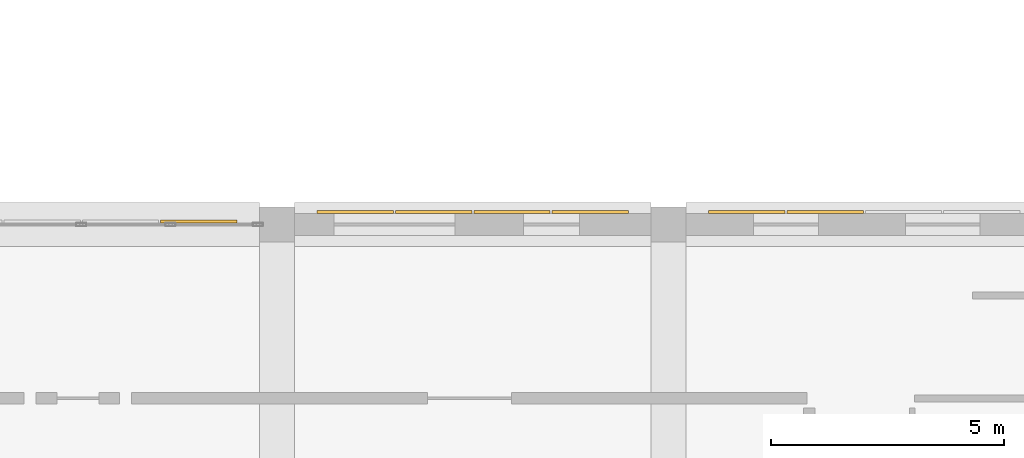
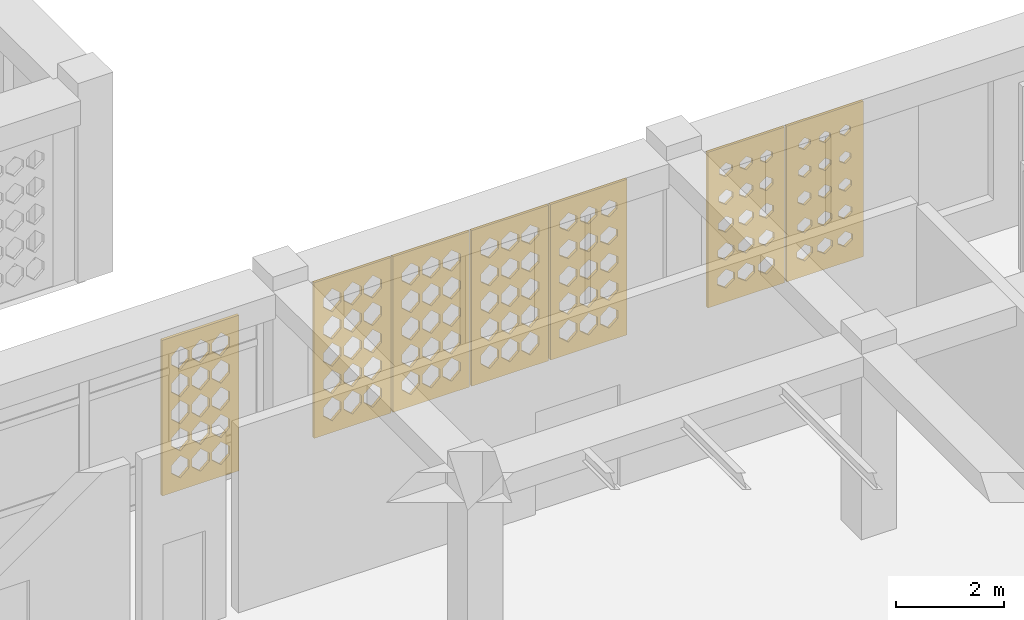
# One storey, part 89 of 111: 7 coverings.
"""IFC4 building model written with IfcOpenShell, lengths in metres."""

from ifc_helpers import new_model, si_unit, derived_unit, direction, frame, origin, place, context, subcontext, project, spatial, polyline, outline, extrude, material, layer, layer_set, type_object, element, save


model = new_model("IFC4")

# Units and contexts
model_context = context("Model", 3, precision=1e-05, world=origin(), true_north=direction((0.0, 1.0)))
body_context = subcontext(model_context, "Body", "Model", "MODEL_VIEW")
ifc_project = project(units=[si_unit("LENGTHUNIT", "METRE"), si_unit("AREAUNIT", "SQUARE_METRE"), si_unit("VOLUMEUNIT", "CUBIC_METRE"), si_unit("PLANEANGLEUNIT", "RADIAN"), si_unit("MASSUNIT", "GRAM", prefix="KILO"), derived_unit("THERMALTRANSMITTANCEUNIT", [(si_unit("POWERUNIT", "WATT"), 1), (si_unit("LENGTHUNIT", "METRE"), -2), (si_unit("THERMODYNAMICTEMPERATUREUNIT", "KELVIN"), -1)])], contexts=[model_context])

# Site, building, storey
site_placement = place(None, origin())
site = spatial("IfcSite", under=ifc_project, at=site_placement, CompositionType="ELEMENT")
building_placement = place(site_placement, origin())
building = spatial("IfcBuilding", under=site, at=building_placement, Name="Veybourne Emporium", CompositionType="ELEMENT")
storey_placement = place(building_placement, frame((0.0, 0.0, 9.89990234375)))
storey = spatial("IfcBuildingStorey", under=building, at=storey_placement, Name="L02", CompositionType="ELEMENT", Elevation=9.89990234375)

# Coverings
ifc_material = material(Name="Warm-White Perforated Aluminium Screen Alloy", Category="aluminium")
ifc_layer_1 = layer(ifc_material, 0.06005859375)
ifc_layer_set_1 = layer_set([ifc_layer_1], Name="Warm-White Perforated Aluminium Screen Alloy")
covering_type_1 = type_object("IfcCoveringType", Name="WaveScreen_SCR-01", PredefinedType="CLADDING", material=ifc_layer_set_1)
covering_1_placement = place(storey_placement, frame((107.52001953125, 29.09814453125, 1.815185546875), z_axis=(0.0, -1.0, 0.0), x_axis=(1.0, 0.0, 0.0)))
element("IfcCovering", 1, at=covering_1_placement, inside=storey, type_object=covering_type_1, Name="L02 wave-perforated aluminium screen SCR-01 (62.4)", PredefinedType="CLADDING", context=body_context, shape_type="SweptSolid", body=[
    extrude(outline(polyline([(-0.81982421875, -1.7548828125), (0.81982421875, -1.7548828125), (0.81982421875, 1.7548828125), (-0.81982421875, 1.7548828125), (-0.81982421875, -1.7548828125)]), holes=[polyline([(-0.433349609375, -0.974609375), (-0.2470703125, -1.13671875), (-0.2470703125, -1.319091796875), (-0.433349609375, -1.4814453125), (-0.61962890625, -1.319091796875), (-0.61962890625, -1.13671875), (-0.433349609375, -0.974609375)]), polyline([(-0.433349609375, -0.37109375), (-0.2470703125, -0.526611328125), (-0.2470703125, -0.701416015625), (-0.433349609375, -0.85693359375), (-0.61962890625, -0.701416015625), (-0.61962890625, -0.526611328125), (-0.433349609375, -0.37109375)]), polyline([(-0.433349609375, 0.231201171875), (-0.2470703125, 0.083251953125), (-0.2470703125, -0.083251953125), (-0.433349609375, -0.231201171875), (-0.61962890625, -0.083251953125), (-0.61962890625, 0.083251953125), (-0.433349609375, 0.231201171875)]), polyline([(-0.433349609375, 0.83203125), (-0.2470703125, 0.6923828125), (-0.2470703125, 0.535400390625), (-0.433349609375, 0.39599609375), (-0.61962890625, 0.535400390625), (-0.61962890625, 0.6923828125), (-0.433349609375, 0.83203125)]), polyline([(-0.433349609375, 1.43212890625), (-0.25634765625, 1.301513671875), (-0.25634765625, 1.154541015625), (-0.433349609375, 1.023681640625), (-0.6103515625, 1.154541015625), (-0.6103515625, 1.301513671875), (-0.433349609375, 1.43212890625)]), polyline([(0.0, -0.97900390625), (0.186279296875, -1.138427734375), (0.186279296875, -1.317626953125), (0.0, -1.476806640625), (-0.186279296875, -1.317626953125), (-0.186279296875, -1.138427734375), (0.0, -0.97900390625)]), polyline([(0.0, -0.376220703125), (0.186279296875, -0.5283203125), (0.186279296875, -0.69970703125), (0.0, -0.851806640625), (-0.186279296875, -0.69970703125), (-0.186279296875, -0.5283203125), (0.0, -0.376220703125)]), polyline([(0.0, 0.225341796875), (0.186279296875, 0.0810546875), (0.186279296875, -0.0810546875), (0.0, -0.225341796875), (-0.186279296875, -0.0810546875), (-0.186279296875, 0.0810546875), (0.0, 0.225341796875)]), polyline([(0.0, 0.82568359375), (0.183349609375, 0.690185546875), (0.183349609375, 0.53759765625), (0.0, 0.402099609375), (-0.183349609375, 0.53759765625), (-0.183349609375, 0.690185546875), (0.0, 0.82568359375)]), polyline([(0.0, 1.42578125), (0.171875, 1.29931640625), (0.171875, 1.15673828125), (0.0, 1.0302734375), (-0.171875, 1.15673828125), (-0.171875, 1.29931640625), (0.0, 1.42578125)]), polyline([(0.433349609375, -0.98388671875), (0.61962890625, -1.14013671875), (0.61962890625, -1.31591796875), (0.433349609375, -1.471923828125), (0.2470703125, -1.31591796875), (0.2470703125, -1.14013671875), (0.433349609375, -0.98388671875)]), polyline([(0.433349609375, -0.3818359375), (0.61962890625, -0.530517578125), (0.61962890625, -0.697509765625), (0.433349609375, -0.84619140625), (0.2470703125, -0.697509765625), (0.2470703125, -0.530517578125), (0.433349609375, -0.3818359375)]), polyline([(0.433349609375, 0.21923828125), (0.61962890625, 0.078857421875), (0.61962890625, -0.078857421875), (0.433349609375, -0.21923828125), (0.2470703125, -0.078857421875), (0.2470703125, 0.078857421875), (0.433349609375, 0.21923828125)]), polyline([(0.433349609375, 0.819580078125), (0.611572265625, 0.68798828125), (0.611572265625, 0.5400390625), (0.433349609375, 0.408447265625), (0.255126953125, 0.5400390625), (0.255126953125, 0.68798828125), (0.433349609375, 0.819580078125)]), polyline([(0.433349609375, 1.41943359375), (0.599853515625, 1.296875), (0.599853515625, 1.1591796875), (0.433349609375, 1.03662109375), (0.2666015625, 1.1591796875), (0.2666015625, 1.296875), (0.433349609375, 1.41943359375)])]), origin(), (0.0, 0.0, 1.0), 0.06005859375),
])
covering_2_placement = place(storey_placement, frame((112.56005859375, 29.09814453125, 1.815185546875), z_axis=(0.0, -1.0, 0.0), x_axis=(1.0, 0.0, 0.0)))
element("IfcCovering", 2, at=covering_2_placement, inside=storey, type_object=covering_type_1, Name="L02 wave-perforated aluminium screen SCR-01 (64.2)", PredefinedType="CLADDING", context=body_context, shape_type="SweptSolid", body=[
    extrude(outline(polyline([(-0.81982421875, -1.7548828125), (0.81982421875, -1.7548828125), (0.81982421875, 1.7548828125), (-0.81982421875, 1.7548828125), (-0.81982421875, -1.7548828125)]), holes=[polyline([(-0.433349609375, -1.0419921875), (-0.27099609375, -1.160888671875), (-0.27099609375, -1.294921875), (-0.433349609375, -1.4140625), (-0.595703125, -1.294921875), (-0.595703125, -1.160888671875), (-0.433349609375, -1.0419921875)]), polyline([(-0.433349609375, -0.44189453125), (-0.282470703125, -0.552001953125), (-0.282470703125, -0.676025390625), (-0.433349609375, -0.7861328125), (-0.584228515625, -0.676025390625), (-0.584228515625, -0.552001953125), (-0.433349609375, -0.44189453125)]), polyline([(-0.433349609375, 0.15869140625), (-0.29345703125, 0.05712890625), (-0.29345703125, -0.05712890625), (-0.433349609375, -0.15869140625), (-0.5732421875, -0.05712890625), (-0.5732421875, 0.05712890625), (-0.433349609375, 0.15869140625)]), polyline([(-0.433349609375, 0.760498046875), (-0.303466796875, 0.666748046875), (-0.303466796875, 0.561279296875), (-0.433349609375, 0.467529296875), (-0.56298828125, 0.561279296875), (-0.56298828125, 0.666748046875), (-0.433349609375, 0.760498046875)]), polyline([(-0.433349609375, 1.36328125), (-0.3125, 1.276611328125), (-0.3125, 1.17919921875), (-0.433349609375, 1.092529296875), (-0.55419921875, 1.17919921875), (-0.55419921875, 1.276611328125), (-0.433349609375, 1.36328125)]), polyline([(0.0, -1.048095703125), (0.156982421875, -1.163330078125), (0.156982421875, -1.292724609375), (0.0, -1.40771484375), (-0.156982421875, -1.292724609375), (-0.156982421875, -1.163330078125), (0.0, -1.048095703125)]), polyline([(0.0, -0.447998046875), (0.145751953125, -0.55419921875), (0.145751953125, -0.673828125), (0.0, -0.780029296875), (-0.145751953125, -0.673828125), (-0.145751953125, -0.55419921875), (0.0, -0.447998046875)]), polyline([(0.0, 0.153076171875), (0.13525390625, 0.05517578125), (0.13525390625, -0.05517578125), (0.0, -0.153076171875), (-0.13525390625, -0.05517578125), (-0.13525390625, 0.05517578125), (0.0, 0.153076171875)]), polyline([(0.0, 0.755126953125), (0.12548828125, 0.664794921875), (0.12548828125, 0.563232421875), (0.0, 0.472900390625), (-0.12548828125, 0.563232421875), (-0.12548828125, 0.664794921875), (0.0, 0.755126953125)]), polyline([(0.0, 1.35888671875), (0.1171875, 1.275146484375), (0.1171875, 1.180908203125), (0.0, 1.09716796875), (-0.1171875, 1.180908203125), (-0.1171875, 1.275146484375), (0.0, 1.35888671875)]), polyline([(0.433349609375, -1.0546875), (0.585205078125, -1.16552734375), (0.585205078125, -1.290283203125), (0.433349609375, -1.4013671875), (0.281494140625, -1.290283203125), (0.281494140625, -1.16552734375), (0.433349609375, -1.0546875)]), polyline([(0.433349609375, -0.4541015625), (0.57421875, -0.556396484375), (0.57421875, -0.671630859375), (0.433349609375, -0.77392578125), (0.29248046875, -0.671630859375), (0.29248046875, -0.556396484375), (0.433349609375, -0.4541015625)]), polyline([(0.433349609375, 0.1474609375), (0.56396484375, 0.052978515625), (0.56396484375, -0.052978515625), (0.433349609375, -0.1474609375), (0.302734375, -0.052978515625), (0.302734375, 0.052978515625), (0.433349609375, 0.1474609375)]), polyline([(0.433349609375, 0.750244140625), (0.554931640625, 0.6630859375), (0.554931640625, 0.56494140625), (0.433349609375, 0.477783203125), (0.311767578125, 0.56494140625), (0.311767578125, 0.6630859375), (0.433349609375, 0.750244140625)]), polyline([(0.433349609375, 1.354736328125), (0.547119140625, 1.273681640625), (0.547119140625, 1.182373046875), (0.433349609375, 1.101318359375), (0.319580078125, 1.182373046875), (0.319580078125, 1.273681640625), (0.433349609375, 1.354736328125)])]), origin(), (0.0, 0.0, 1.0), 0.06005859375),
])
ifc_layer_2 = layer(ifc_material, 0.06005859375)
ifc_layer_set_2 = layer_set([ifc_layer_2], Name="Warm-White Perforated Aluminium Screen Alloy")
covering_type_2 = type_object("IfcCoveringType", Name="WaveScreen_SCR-02", PredefinedType="CLADDING", material=ifc_layer_set_2)
covering_3_placement = place(storey_placement, frame((102.47998046875, 29.09814453125, 1.815185546875), z_axis=(0.0, -1.0, 0.0), x_axis=(1.0, 0.0, 0.0)))
element("IfcCovering", 3, at=covering_3_placement, inside=storey, type_object=covering_type_2, Name="L02 wave-perforated aluminium screen SCR-02 (62.1)", PredefinedType="CLADDING", context=body_context, shape_type="SweptSolid", body=[
    extrude(outline(polyline([(-0.81982421875, -1.7548828125), (0.81982421875, -1.7548828125), (0.81982421875, 1.7548828125), (-0.81982421875, 1.7548828125), (-0.81982421875, -1.7548828125)]), holes=[polyline([(-0.433349609375, -0.964111328125), (-0.2470703125, -1.133056640625), (-0.2470703125, -1.322998046875), (-0.433349609375, -1.491943359375), (-0.61962890625, -1.322998046875), (-0.61962890625, -1.133056640625), (-0.433349609375, -0.964111328125)]), polyline([(-0.433349609375, -0.35009765625), (-0.2470703125, -0.51904296875), (-0.2470703125, -0.708984375), (-0.433349609375, -0.8779296875), (-0.61962890625, -0.708984375), (-0.61962890625, -0.51904296875), (-0.433349609375, -0.35009765625)]), polyline([(-0.433349609375, 0.263916015625), (-0.2470703125, 0.094970703125), (-0.2470703125, -0.094970703125), (-0.433349609375, -0.263916015625), (-0.61962890625, -0.094970703125), (-0.61962890625, 0.094970703125), (-0.433349609375, 0.263916015625)]), polyline([(-0.433349609375, 0.8779296875), (-0.2470703125, 0.708984375), (-0.2470703125, 0.51904296875), (-0.433349609375, 0.35009765625), (-0.61962890625, 0.51904296875), (-0.61962890625, 0.708984375), (-0.433349609375, 0.8779296875)]), polyline([(-0.433349609375, 1.491943359375), (-0.2470703125, 1.322998046875), (-0.2470703125, 1.133056640625), (-0.433349609375, 0.964111328125), (-0.61962890625, 1.133056640625), (-0.61962890625, 1.322998046875), (-0.433349609375, 1.491943359375)]), polyline([(0.0, -0.964111328125), (0.186279296875, -1.133056640625), (0.186279296875, -1.322998046875), (0.0, -1.491943359375), (-0.186279296875, -1.322998046875), (-0.186279296875, -1.133056640625), (0.0, -0.964111328125)]), polyline([(0.0, -0.35009765625), (0.186279296875, -0.51904296875), (0.186279296875, -0.708984375), (0.0, -0.8779296875), (-0.186279296875, -0.708984375), (-0.186279296875, -0.51904296875), (0.0, -0.35009765625)]), polyline([(0.0, 0.263916015625), (0.186279296875, 0.094970703125), (0.186279296875, -0.094970703125), (0.0, -0.263916015625), (-0.186279296875, -0.094970703125), (-0.186279296875, 0.094970703125), (0.0, 0.263916015625)]), polyline([(0.0, 0.8779296875), (0.186279296875, 0.708984375), (0.186279296875, 0.51904296875), (0.0, 0.35009765625), (-0.186279296875, 0.51904296875), (-0.186279296875, 0.708984375), (0.0, 0.8779296875)]), polyline([(0.0, 1.488525390625), (0.186279296875, 1.32177734375), (0.186279296875, 1.13427734375), (0.0, 0.96728515625), (-0.186279296875, 1.13427734375), (-0.186279296875, 1.32177734375), (0.0, 1.488525390625)]), polyline([(0.433349609375, -0.964111328125), (0.61962890625, -1.133056640625), (0.61962890625, -1.322998046875), (0.433349609375, -1.491943359375), (0.2470703125, -1.322998046875), (0.2470703125, -1.133056640625), (0.433349609375, -0.964111328125)]), polyline([(0.433349609375, -0.35009765625), (0.61962890625, -0.51904296875), (0.61962890625, -0.708984375), (0.433349609375, -0.8779296875), (0.2470703125, -0.708984375), (0.2470703125, -0.51904296875), (0.433349609375, -0.35009765625)]), polyline([(0.433349609375, 0.263916015625), (0.61962890625, 0.094970703125), (0.61962890625, -0.094970703125), (0.433349609375, -0.263916015625), (0.2470703125, -0.094970703125), (0.2470703125, 0.094970703125), (0.433349609375, 0.263916015625)]), polyline([(0.433349609375, 0.8779296875), (0.61962890625, 0.708984375), (0.61962890625, 0.51904296875), (0.433349609375, 0.35009765625), (0.2470703125, 0.51904296875), (0.2470703125, 0.708984375), (0.433349609375, 0.8779296875)]), polyline([(0.433349609375, 1.48486328125), (0.61962890625, 1.3203125), (0.61962890625, 1.135498046875), (0.433349609375, 0.97119140625), (0.2470703125, 1.135498046875), (0.2470703125, 1.3203125), (0.433349609375, 1.48486328125)])]), origin(), (0.0, 0.0, 1.0), 0.06005859375),
])
ifc_layer_3 = layer(ifc_material, 0.06005859375)
ifc_layer_set_3 = layer_set([ifc_layer_3], Name="Warm-White Perforated Aluminium Screen Alloy")
covering_type_3 = type_object("IfcCoveringType", Name="WaveScreen_SCR-03", PredefinedType="CLADDING", material=ifc_layer_set_3)
covering_4_placement = place(storey_placement, frame((99.1201171875, 28.89306640625, 1.815185546875), z_axis=(0.0, -1.0, 0.0), x_axis=(1.0, 0.0, 0.0)))
element("IfcCovering", 4, at=covering_4_placement, inside=storey, type_object=covering_type_3, Name="L02 wave-perforated aluminium screen SCR-03 (48C.4)", PredefinedType="CLADDING", context=body_context, shape_type="SweptSolid", body=[
    extrude(outline(polyline([(-0.81982421875, -1.7548828125), (0.81982421875, -1.7548828125), (0.81982421875, 1.7548828125), (-0.81982421875, 1.7548828125), (-0.81982421875, -1.7548828125)]), holes=[polyline([(-0.433349609375, -0.978515625), (-0.2470703125, -1.13818359375), (-0.2470703125, -1.31787109375), (-0.433349609375, -1.4775390625), (-0.61962890625, -1.31787109375), (-0.61962890625, -1.13818359375), (-0.433349609375, -0.978515625)]), polyline([(-0.433349609375, -0.35498046875), (-0.2470703125, -0.520751953125), (-0.2470703125, -0.707275390625), (-0.433349609375, -0.872802734375), (-0.61962890625, -0.707275390625), (-0.61962890625, -0.520751953125), (-0.433349609375, -0.35498046875)]), polyline([(-0.433349609375, 0.263916015625), (-0.2470703125, 0.094970703125), (-0.2470703125, -0.094970703125), (-0.433349609375, -0.263916015625), (-0.61962890625, -0.094970703125), (-0.61962890625, 0.094970703125), (-0.433349609375, 0.263916015625)]), polyline([(-0.433349609375, 0.8779296875), (-0.2470703125, 0.708984375), (-0.2470703125, 0.51904296875), (-0.433349609375, 0.35009765625), (-0.61962890625, 0.51904296875), (-0.61962890625, 0.708984375), (-0.433349609375, 0.8779296875)]), polyline([(-0.433349609375, 1.491943359375), (-0.2470703125, 1.322998046875), (-0.2470703125, 1.133056640625), (-0.433349609375, 0.964111328125), (-0.61962890625, 1.133056640625), (-0.61962890625, 1.322998046875), (-0.433349609375, 1.491943359375)]), polyline([(0.0, -0.97412109375), (0.186279296875, -1.13671875), (0.186279296875, -1.3193359375), (0.0, -1.48193359375), (-0.186279296875, -1.3193359375), (-0.186279296875, -1.13671875), (0.0, -0.97412109375)]), polyline([(0.0, -0.3515625), (0.186279296875, -0.51953125), (0.186279296875, -0.70849609375), (0.0, -0.87646484375), (-0.186279296875, -0.70849609375), (-0.186279296875, -0.51953125), (0.0, -0.3515625)]), polyline([(0.0, 0.263916015625), (0.186279296875, 0.094970703125), (0.186279296875, -0.094970703125), (0.0, -0.263916015625), (-0.186279296875, -0.094970703125), (-0.186279296875, 0.094970703125), (0.0, 0.263916015625)]), polyline([(0.0, 0.8779296875), (0.186279296875, 0.708984375), (0.186279296875, 0.51904296875), (0.0, 0.35009765625), (-0.186279296875, 0.51904296875), (-0.186279296875, 0.708984375), (0.0, 0.8779296875)]), polyline([(0.0, 1.491943359375), (0.186279296875, 1.322998046875), (0.186279296875, 1.133056640625), (0.0, 0.964111328125), (-0.186279296875, 1.133056640625), (-0.186279296875, 1.322998046875), (0.0, 1.491943359375)]), polyline([(0.433349609375, -0.969970703125), (0.61962890625, -1.135009765625), (0.61962890625, -1.32080078125), (0.433349609375, -1.486083984375), (0.2470703125, -1.32080078125), (0.2470703125, -1.135009765625), (0.433349609375, -0.969970703125)]), polyline([(0.433349609375, -0.35009765625), (0.61962890625, -0.51904296875), (0.61962890625, -0.708984375), (0.433349609375, -0.8779296875), (0.2470703125, -0.708984375), (0.2470703125, -0.51904296875), (0.433349609375, -0.35009765625)]), polyline([(0.433349609375, 0.263916015625), (0.61962890625, 0.094970703125), (0.61962890625, -0.094970703125), (0.433349609375, -0.263916015625), (0.2470703125, -0.094970703125), (0.2470703125, 0.094970703125), (0.433349609375, 0.263916015625)]), polyline([(0.433349609375, 0.8779296875), (0.61962890625, 0.708984375), (0.61962890625, 0.51904296875), (0.433349609375, 0.35009765625), (0.2470703125, 0.51904296875), (0.2470703125, 0.708984375), (0.433349609375, 0.8779296875)]), polyline([(0.433349609375, 1.491943359375), (0.61962890625, 1.322998046875), (0.61962890625, 1.133056640625), (0.433349609375, 0.964111328125), (0.2470703125, 1.133056640625), (0.2470703125, 1.322998046875), (0.433349609375, 1.491943359375)])]), origin(), (0.0, 0.0, 1.0), 0.06005859375),
])
covering_5_placement = place(storey_placement, frame((104.159912109375, 29.09814453125, 1.815185546875), z_axis=(0.0, -1.0, 0.0), x_axis=(1.0, 0.0, 0.0)))
element("IfcCovering", 5, at=covering_5_placement, inside=storey, type_object=covering_type_3, Name="L02 wave-perforated aluminium screen SCR-03 (62.2)", PredefinedType="CLADDING", context=body_context, shape_type="SweptSolid", body=[
    extrude(outline(polyline([(-0.81982421875, -1.7548828125), (0.81982421875, -1.7548828125), (0.81982421875, 1.7548828125), (-0.81982421875, 1.7548828125), (-0.81982421875, -1.7548828125)]), holes=[polyline([(-0.433349609375, -0.964111328125), (-0.2470703125, -1.133056640625), (-0.2470703125, -1.322998046875), (-0.433349609375, -1.491943359375), (-0.61962890625, -1.322998046875), (-0.61962890625, -1.133056640625), (-0.433349609375, -0.964111328125)]), polyline([(-0.433349609375, -0.35009765625), (-0.2470703125, -0.51904296875), (-0.2470703125, -0.708984375), (-0.433349609375, -0.8779296875), (-0.61962890625, -0.708984375), (-0.61962890625, -0.51904296875), (-0.433349609375, -0.35009765625)]), polyline([(-0.433349609375, 0.263916015625), (-0.2470703125, 0.094970703125), (-0.2470703125, -0.094970703125), (-0.433349609375, -0.263916015625), (-0.61962890625, -0.094970703125), (-0.61962890625, 0.094970703125), (-0.433349609375, 0.263916015625)]), polyline([(-0.433349609375, 0.8720703125), (-0.2470703125, 0.706787109375), (-0.2470703125, 0.52099609375), (-0.433349609375, 0.35595703125), (-0.61962890625, 0.52099609375), (-0.61962890625, 0.706787109375), (-0.433349609375, 0.8720703125)]), polyline([(-0.433349609375, 1.4765625), (-0.2470703125, 1.3173828125), (-0.2470703125, 1.138427734375), (-0.433349609375, 0.9794921875), (-0.61962890625, 1.138427734375), (-0.61962890625, 1.3173828125), (-0.433349609375, 1.4765625)]), polyline([(0.0, -0.964111328125), (0.186279296875, -1.133056640625), (0.186279296875, -1.322998046875), (0.0, -1.491943359375), (-0.186279296875, -1.322998046875), (-0.186279296875, -1.133056640625), (0.0, -0.964111328125)]), polyline([(0.0, -0.35009765625), (0.186279296875, -0.51904296875), (0.186279296875, -0.708984375), (0.0, -0.8779296875), (-0.186279296875, -0.708984375), (-0.186279296875, -0.51904296875), (0.0, -0.35009765625)]), polyline([(0.0, 0.262451171875), (0.186279296875, 0.094482421875), (0.186279296875, -0.094482421875), (0.0, -0.262451171875), (-0.186279296875, -0.094482421875), (-0.186279296875, 0.094482421875), (0.0, 0.262451171875)]), polyline([(0.0, 0.867919921875), (0.186279296875, 0.705322265625), (0.186279296875, 0.522705078125), (0.0, 0.360107421875), (-0.186279296875, 0.522705078125), (-0.186279296875, 0.705322265625), (0.0, 0.867919921875)]), polyline([(0.0, 1.4716796875), (0.186279296875, 1.315673828125), (0.186279296875, 1.140380859375), (0.0, 0.984375), (-0.186279296875, 1.140380859375), (-0.186279296875, 1.315673828125), (0.0, 1.4716796875)]), polyline([(0.433349609375, -0.964111328125), (0.61962890625, -1.133056640625), (0.61962890625, -1.322998046875), (0.433349609375, -1.491943359375), (0.2470703125, -1.322998046875), (0.2470703125, -1.133056640625), (0.433349609375, -0.964111328125)]), polyline([(0.433349609375, -0.35009765625), (0.61962890625, -0.51904296875), (0.61962890625, -0.708984375), (0.433349609375, -0.8779296875), (0.2470703125, -0.708984375), (0.2470703125, -0.51904296875), (0.433349609375, -0.35009765625)]), polyline([(0.433349609375, 0.2587890625), (0.61962890625, 0.09326171875), (0.61962890625, -0.09326171875), (0.433349609375, -0.2587890625), (0.2470703125, -0.09326171875), (0.2470703125, 0.09326171875), (0.433349609375, 0.2587890625)]), polyline([(0.433349609375, 0.863525390625), (0.61962890625, 0.703857421875), (0.61962890625, 0.524169921875), (0.433349609375, 0.364501953125), (0.2470703125, 0.524169921875), (0.2470703125, 0.703857421875), (0.433349609375, 0.863525390625)]), polyline([(0.433349609375, 1.466552734375), (0.61962890625, 1.31396484375), (0.61962890625, 1.14208984375), (0.433349609375, 0.989501953125), (0.2470703125, 1.14208984375), (0.2470703125, 1.31396484375), (0.433349609375, 1.466552734375)])]), origin(), (0.0, 0.0, 1.0), 0.06005859375),
])
ifc_layer_4 = layer(ifc_material, 0.06005859375)
ifc_layer_set_4 = layer_set([ifc_layer_4], Name="Warm-White Perforated Aluminium Screen Alloy")
covering_type_4 = type_object("IfcCoveringType", Name="WaveScreen_SCR-04", PredefinedType="CLADDING", material=ifc_layer_set_4)
covering_6_placement = place(storey_placement, frame((105.840087890625, 29.09814453125, 1.815185546875), z_axis=(0.0, -1.0, 0.0), x_axis=(1.0, 0.0, 0.0)))
element("IfcCovering", 6, at=covering_6_placement, inside=storey, type_object=covering_type_4, Name="L02 wave-perforated aluminium screen SCR-04 (62.3)", PredefinedType="CLADDING", context=body_context, shape_type="SweptSolid", body=[
    extrude(outline(polyline([(-0.81982421875, -1.7548828125), (0.81982421875, -1.7548828125), (0.81982421875, 1.7548828125), (-0.81982421875, 1.7548828125), (-0.81982421875, -1.7548828125)]), holes=[polyline([(-0.433349609375, -0.964111328125), (-0.2470703125, -1.133056640625), (-0.2470703125, -1.322998046875), (-0.433349609375, -1.491943359375), (-0.61962890625, -1.322998046875), (-0.61962890625, -1.133056640625), (-0.433349609375, -0.964111328125)]), polyline([(-0.433349609375, -0.35400390625), (-0.2470703125, -0.5205078125), (-0.2470703125, -0.70751953125), (-0.433349609375, -0.8740234375), (-0.61962890625, -0.70751953125), (-0.61962890625, -0.5205078125), (-0.433349609375, -0.35400390625)]), polyline([(-0.433349609375, 0.2509765625), (-0.2470703125, 0.09033203125), (-0.2470703125, -0.09033203125), (-0.433349609375, -0.2509765625), (-0.61962890625, -0.09033203125), (-0.61962890625, 0.09033203125), (-0.433349609375, 0.2509765625)]), polyline([(-0.433349609375, 0.854248046875), (-0.2470703125, 0.700439453125), (-0.2470703125, 0.527587890625), (-0.433349609375, 0.373779296875), (-0.61962890625, 0.527587890625), (-0.61962890625, 0.700439453125), (-0.433349609375, 0.854248046875)]), polyline([(-0.433349609375, 1.4560546875), (-0.2470703125, 1.31005859375), (-0.2470703125, 1.14599609375), (-0.433349609375, 1.0), (-0.61962890625, 1.14599609375), (-0.61962890625, 1.31005859375), (-0.433349609375, 1.4560546875)]), polyline([(0.0, -0.964111328125), (0.186279296875, -1.133056640625), (0.186279296875, -1.322998046875), (0.0, -1.491943359375), (-0.186279296875, -1.322998046875), (-0.186279296875, -1.133056640625), (0.0, -0.964111328125)]), polyline([(0.0, -0.35791015625), (0.186279296875, -0.521728515625), (0.186279296875, -0.706298828125), (0.0, -0.8701171875), (-0.186279296875, -0.706298828125), (-0.186279296875, -0.521728515625), (0.0, -0.35791015625)]), polyline([(0.0, 0.246337890625), (0.186279296875, 0.088623046875), (0.186279296875, -0.088623046875), (0.0, -0.246337890625), (-0.186279296875, -0.088623046875), (-0.186279296875, 0.088623046875), (0.0, 0.246337890625)]), polyline([(0.0, 0.848876953125), (0.186279296875, 0.698486328125), (0.186279296875, 0.529541015625), (0.0, 0.379150390625), (-0.186279296875, 0.529541015625), (-0.186279296875, 0.698486328125), (0.0, 0.848876953125)]), polyline([(0.0, 1.4501953125), (0.186279296875, 1.30810546875), (0.186279296875, 1.14794921875), (0.0, 1.005859375), (-0.186279296875, 1.14794921875), (-0.186279296875, 1.30810546875), (0.0, 1.4501953125)]), polyline([(0.433349609375, -0.967041015625), (0.61962890625, -1.134033203125), (0.61962890625, -1.322021484375), (0.433349609375, -1.489013671875), (0.2470703125, -1.322021484375), (0.2470703125, -1.134033203125), (0.433349609375, -0.967041015625)]), polyline([(0.433349609375, -0.362060546875), (0.61962890625, -0.523193359375), (0.61962890625, -0.70458984375), (0.433349609375, -0.865966796875), (0.2470703125, -0.70458984375), (0.2470703125, -0.523193359375), (0.433349609375, -0.362060546875)]), polyline([(0.433349609375, 0.2412109375), (0.61962890625, 0.0869140625), (0.61962890625, -0.0869140625), (0.433349609375, -0.2412109375), (0.2470703125, -0.0869140625), (0.2470703125, 0.0869140625), (0.433349609375, 0.2412109375)]), polyline([(0.433349609375, 0.84326171875), (0.61962890625, 0.696533203125), (0.61962890625, 0.531494140625), (0.433349609375, 0.384765625), (0.2470703125, 0.531494140625), (0.2470703125, 0.696533203125), (0.433349609375, 0.84326171875)]), polyline([(0.433349609375, 1.444091796875), (0.61962890625, 1.305908203125), (0.61962890625, 1.150146484375), (0.433349609375, 1.011962890625), (0.2470703125, 1.150146484375), (0.2470703125, 1.305908203125), (0.433349609375, 1.444091796875)])]), origin(), (0.0, 0.0, 1.0), 0.06005859375),
])
covering_7_placement = place(storey_placement, frame((110.8798828125, 29.09814453125, 1.815185546875), z_axis=(0.0, -1.0, 0.0), x_axis=(1.0, 0.0, 0.0)))
element("IfcCovering", 7, at=covering_7_placement, inside=storey, type_object=covering_type_4, Name="L02 wave-perforated aluminium screen SCR-04 (64.1)", PredefinedType="CLADDING", context=body_context, shape_type="SweptSolid", body=[
    extrude(outline(polyline([(-0.81982421875, -1.7548828125), (0.81982421875, -1.7548828125), (0.81982421875, 1.7548828125), (-0.81982421875, 1.7548828125), (-0.81982421875, -1.7548828125)]), holes=[polyline([(-0.433349609375, -1.01708984375), (-0.250732421875, -1.152099609375), (-0.250732421875, -1.303955078125), (-0.433349609375, -1.43896484375), (-0.615966796875, -1.303955078125), (-0.615966796875, -1.152099609375), (-0.433349609375, -1.01708984375)]), polyline([(-0.433349609375, -0.4169921875), (-0.26220703125, -0.543212890625), (-0.26220703125, -0.684814453125), (-0.433349609375, -0.810791015625), (-0.6044921875, -0.684814453125), (-0.6044921875, -0.543212890625), (-0.433349609375, -0.4169921875)]), polyline([(-0.433349609375, 0.1826171875), (-0.273681640625, 0.06591796875), (-0.273681640625, -0.06591796875), (-0.433349609375, -0.1826171875), (-0.593017578125, -0.06591796875), (-0.593017578125, 0.06591796875), (-0.433349609375, 0.1826171875)]), polyline([(-0.433349609375, 0.782958984375), (-0.28515625, 0.6748046875), (-0.28515625, 0.55322265625), (-0.433349609375, 0.445068359375), (-0.58154296875, 0.55322265625), (-0.58154296875, 0.6748046875), (-0.433349609375, 0.782958984375)]), polyline([(-0.433349609375, 1.3837890625), (-0.2958984375, 1.2841796875), (-0.2958984375, 1.171875), (-0.433349609375, 1.072265625), (-0.57080078125, 1.171875), (-0.57080078125, 1.2841796875), (-0.433349609375, 1.3837890625)]), polyline([(0.0, -1.0234375), (0.177490234375, -1.154296875), (0.177490234375, -1.3017578125), (0.0, -1.4326171875), (-0.177490234375, -1.3017578125), (-0.177490234375, -1.154296875), (0.0, -1.0234375)]), polyline([(0.0, -0.423583984375), (0.165771484375, -0.54541015625), (0.165771484375, -0.6826171875), (0.0, -0.804443359375), (-0.165771484375, -0.6826171875), (-0.165771484375, -0.54541015625), (0.0, -0.423583984375)]), polyline([(0.0, 0.176513671875), (0.154296875, 0.0634765625), (0.154296875, -0.0634765625), (0.0, -0.176513671875), (-0.154296875, -0.0634765625), (-0.154296875, 0.0634765625), (0.0, 0.176513671875)]), polyline([(0.0, 0.77685546875), (0.143310546875, 0.672607421875), (0.143310546875, 0.555419921875), (0.0, 0.451171875), (-0.143310546875, 0.555419921875), (-0.143310546875, 0.672607421875), (0.0, 0.77685546875)]), polyline([(0.0, 1.378173828125), (0.1328125, 1.281982421875), (0.1328125, 1.174072265625), (0.0, 1.077880859375), (-0.1328125, 1.174072265625), (-0.1328125, 1.281982421875), (0.0, 1.378173828125)]), polyline([(0.433349609375, -1.02978515625), (0.60546875, -1.156494140625), (0.60546875, -1.29931640625), (0.433349609375, -1.42626953125), (0.26123046875, -1.29931640625), (0.26123046875, -1.156494140625), (0.433349609375, -1.02978515625)]), polyline([(0.433349609375, -0.429931640625), (0.593994140625, -0.547607421875), (0.593994140625, -0.680419921875), (0.433349609375, -0.798095703125), (0.272705078125, -0.680419921875), (0.272705078125, -0.547607421875), (0.433349609375, -0.429931640625)]), polyline([(0.433349609375, 0.170166015625), (0.58251953125, 0.061279296875), (0.58251953125, -0.061279296875), (0.433349609375, -0.170166015625), (0.2841796875, -0.061279296875), (0.2841796875, 0.061279296875), (0.433349609375, 0.170166015625)]), polyline([(0.433349609375, 0.77099609375), (0.57177734375, 0.67041015625), (0.57177734375, 0.5576171875), (0.433349609375, 0.45703125), (0.294921875, 0.5576171875), (0.294921875, 0.67041015625), (0.433349609375, 0.77099609375)]), polyline([(0.433349609375, 1.372802734375), (0.561767578125, 1.280029296875), (0.561767578125, 1.17578125), (0.433349609375, 1.083251953125), (0.304931640625, 1.17578125), (0.304931640625, 1.280029296875), (0.433349609375, 1.372802734375)])]), origin(), (0.0, 0.0, 1.0), 0.06005859375),
])

save(model, "model.ifc")
